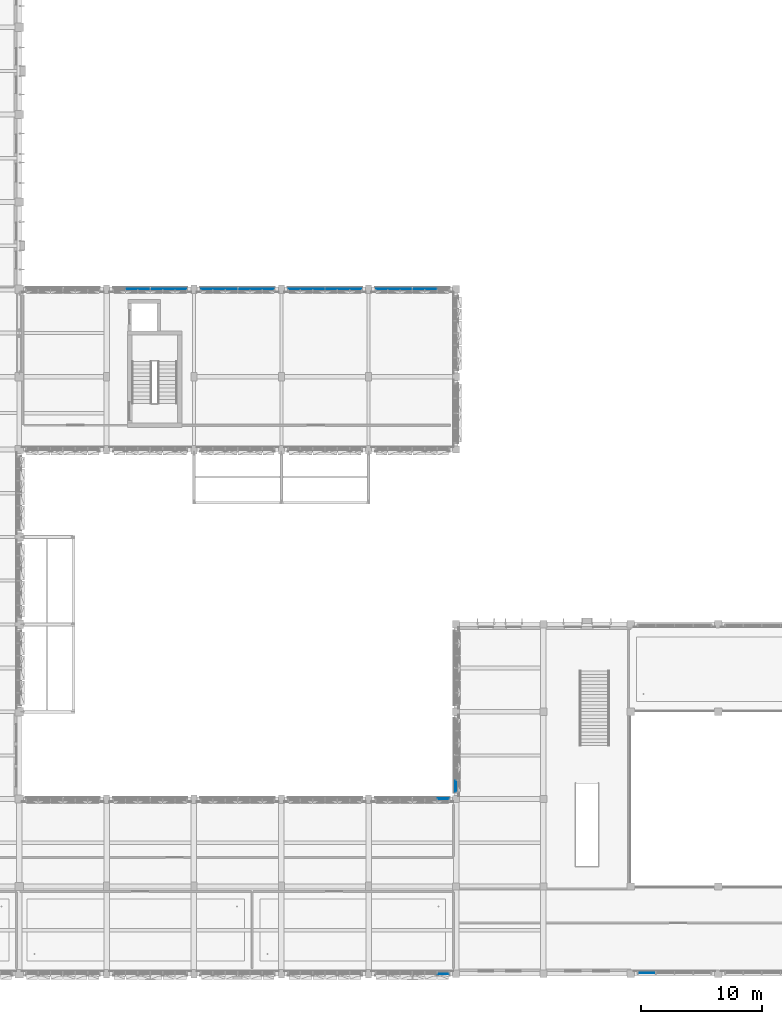
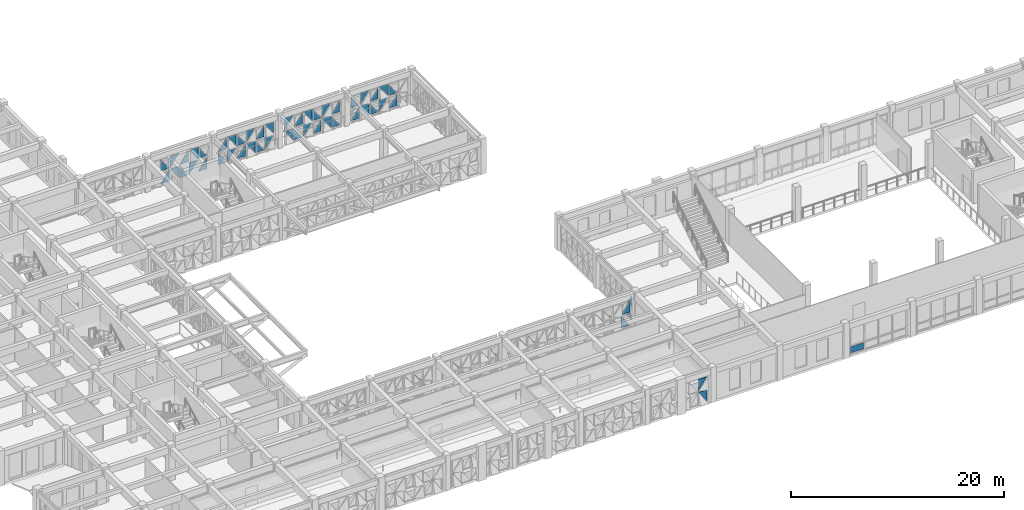
# One storey, part 35 of 88: 51 plates, 8 elements without a shape of their own.
"""IFC4 building model written with IfcOpenShell, lengths in metres."""

import ifcopenshell
import ifcopenshell.guid

model = None  # the IFC model being written
_history = None  # IfcOwnerHistory: only IFC2X3 demands one
_inside = {}  # id of a spatial element -> (the spatial element, [elements in it])
_under = {}  # id of a project, library or spatial element -> (it, [spatial elements below it])
_declared = {}  # id of a project -> (the project, [libraries it declares])
_typed = {}  # id of a type object -> (the type object, [elements of that type])
_made_of = {}  # id of a material, layer set ... -> (it, [elements and type objects made of it])


def new_model(schema):
    """Start an empty IFC model of exactly this schema.

    Asked for "IFC4X3", IfcOpenShell would pick the latest addendum, in which some entities
    have other attributes; the version numbers below select the first issue.
    IFC2X3 requires an IfcOwnerHistory on every rooted entity: one is made here for all.
    """
    global model, _history
    if schema == "IFC4X3":
        model = ifcopenshell.file(schema_version=(4, 3, 0, 0))
    else:
        model = ifcopenshell.file(schema=schema)
    _inside.clear()
    _under.clear()
    _declared.clear()
    _typed.clear()
    _made_of.clear()
    _history = None
    if model.schema == "IFC2X3":
        org = make("IfcOrganization", Name="unknown")
        user = make(
            "IfcPersonAndOrganization",
            ThePerson=make("IfcPerson", FamilyName="unknown"),
            TheOrganization=org,
        )
        app = make(
            "IfcApplication",
            ApplicationDeveloper=org,
            Version="unknown",
            ApplicationFullName="unknown",
            ApplicationIdentifier="unknown",
        )
        _history = make(
            "IfcOwnerHistory",
            OwningUser=user,
            OwningApplication=app,
            ChangeAction="ADDED",
            CreationDate=0,
        )
    return model


def make(cls, **values):
    """One entity of the class cls with the attributes given. An attribute that is None is left unset."""
    return model.create_entity(
        cls, **{name: value for name, value in values.items() if value is not None}
    )


def rooted(cls, **values):
    """An entity with a GlobalId (a new one), such as an element, a storey or a relation."""
    return make(cls, GlobalId=ifcopenshell.guid.new(), OwnerHistory=_history, **values)


def si_unit(unit_type, name, prefix=None):
    """IfcSIUnit, for example si_unit("LENGTHUNIT", "METRE", prefix="MILLI")."""
    return make("IfcSIUnit", UnitType=unit_type, Prefix=prefix, Name=name)


def assignment(units):
    """IfcUnitAssignment: the units of a project."""
    return None if units is None else make("IfcUnitAssignment", Units=units)


def point(xyz):
    """IfcCartesianPoint."""
    return None if xyz is None else make("IfcCartesianPoint", Coordinates=xyz)


def direction(xyz):
    """IfcDirection."""
    return None if xyz is None else make("IfcDirection", DirectionRatios=xyz)


def frame(location, z_axis=None, x_axis=None):
    """IfcAxis2Placement3D, a coordinate frame: its origin and axes. An axis left out is left unset."""
    return make(
        "IfcAxis2Placement3D",
        Location=point(location),
        Axis=direction(z_axis),
        RefDirection=direction(x_axis),
    )


def frame_2d(location, x_axis=None):
    """IfcAxis2Placement2D, a coordinate frame in the plane: its origin and x axis."""
    return make(
        "IfcAxis2Placement2D", Location=point(location), RefDirection=direction(x_axis)
    )


def origin():
    """The frame at (0, 0, 0) with its axes left unset."""
    return frame((0.0, 0.0, 0.0))


def origin_2d():
    """The frame at (0, 0) in the plane with its x axis left unset."""
    return frame_2d((0.0, 0.0))


def place(relative_to, where):
    """IfcLocalPlacement: puts the frame where relative to a parent placement (None: the world)."""
    return make(
        "IfcLocalPlacement", PlacementRelTo=relative_to, RelativePlacement=where
    )


def context(
    kind, dimensions, precision=None, world=None, true_north=None, identifier=None
):
    """IfcGeometricRepresentationContext, for example the 3D "Model" context."""
    return make(
        "IfcGeometricRepresentationContext",
        ContextIdentifier=identifier,
        ContextType=kind,
        CoordinateSpaceDimension=dimensions,
        Precision=precision,
        WorldCoordinateSystem=world,
        TrueNorth=true_north,
    )


def subcontext(parent, identifier, kind, view, scale=None):
    """IfcGeometricRepresentationSubContext, for example "Body" below "Model"."""
    return make(
        "IfcGeometricRepresentationSubContext",
        ContextIdentifier=identifier,
        ContextType=kind,
        ParentContext=parent,
        TargetScale=scale,
        TargetView=view,
    )


def project(units=None, contexts=None):
    """IfcProject with its units and contexts."""
    return rooted(
        "IfcProject",
        Name="project",
        RepresentationContexts=contexts,
        UnitsInContext=assignment(units),
    )


def spatial(cls, under=None, at=None, **own):
    """A site, building, storey or space (cls), placed at a placement, below another one or the project."""
    s = rooted(cls, ObjectPlacement=at, **own)
    if under is not None:
        _under.setdefault(under.id(), (under, []))[1].append(s)
    return s


def polyline(points):
    """IfcPolyline through the points."""
    return make("IfcPolyline", Points=[point(p) for p in points])


def profile(cls, at=None, kind="AREA", **sizes):
    """A parametric profile (cls). Its sizes go by their IFC names, for example OverallWidth=200.0."""
    return make(cls, ProfileType=kind, Position=at, **sizes)


def rectangle(**sizes):
    """IfcRectangleProfileDef."""
    return profile("IfcRectangleProfileDef", **sizes)


def outline(outer, holes=None, kind="AREA"):
    """IfcArbitraryClosedProfileDef: a profile drawn as a closed curve; with holes, ...WithVoids."""
    if holes is None:
        return make("IfcArbitraryClosedProfileDef", ProfileType=kind, OuterCurve=outer)
    return make(
        "IfcArbitraryProfileDefWithVoids",
        ProfileType=kind,
        OuterCurve=outer,
        InnerCurves=holes,
    )


def extrude(swept, where, along, depth):
    """IfcExtrudedAreaSolid: the profile swept, set in the frame where, extruded along a direction by depth."""
    return make(
        "IfcExtrudedAreaSolid",
        SweptArea=swept,
        Position=where,
        ExtrudedDirection=direction(along),
        Depth=depth,
    )


def shape(context_of_items, identifier, shape_type, items):
    """IfcShapeRepresentation: the items that make up one representation, for example the "Body"."""
    return make(
        "IfcShapeRepresentation",
        ContextOfItems=context_of_items,
        RepresentationIdentifier=identifier,
        RepresentationType=shape_type,
        Items=items,
    )


def material(Name=None, Category=None):
    """IfcMaterial."""
    return make("IfcMaterial", Name=Name, Category=Category)


def layer(
    of_material, thickness, ventilated=None, Name=None, Category=None, Priority=None
):
    """IfcMaterialLayer: one layer of a wall or slab, of a material (None: an air gap)."""
    return make(
        "IfcMaterialLayer",
        Material=of_material,
        LayerThickness=thickness,
        IsVentilated=ventilated,
        Name=Name,
        Category=Category,
        Priority=Priority,
    )


def layer_set(layers, Name=None):
    """IfcMaterialLayerSet."""
    return make("IfcMaterialLayerSet", MaterialLayers=layers, LayerSetName=Name)


def made_of(thing, what):
    """Note that an element or type object is made of a material, layer set ...; save() writes the relation."""
    if what is not None:
        _made_of.setdefault(what.id(), (what, []))[1].append(thing)
    return thing


def type_object(cls, material=None, **own):
    """A type object (cls), such as IfcWallType, which elements share."""
    return made_of(rooted(cls, **own), material)


def element(
    cls,
    number,
    at=None,
    inside=None,
    cuts=None,
    type_object=None,
    material=None,
    context=None,
    identifier="Body",
    shape_type=None,
    held_by="IfcProductDefinitionShape",
    body=None,
    shapes=None,
    **own,
):
    """One element of the class cls, such as IfcWall. Its Tag is "e" and its number.

    at: its placement. inside: the storey or other place that contains it. cuts: it is an
    opening in that element (IfcRelVoidsElement). A single representation is given by context,
    identifier, shape_type and body (its items); several are given by shapes. held_by: the class
    of the entity that holds the representations. save() writes the other relations.
    """
    e = rooted(cls, Tag="e%d" % number, ObjectPlacement=at, **own)
    if body is not None:
        shapes = [shape(context, identifier, shape_type, body)]
    if shapes is not None:
        e.Representation = make(held_by, Representations=shapes)
    if inside is not None:
        _inside.setdefault(inside.id(), (inside, []))[1].append(e)
    if cuts is not None:
        rooted(
            "IfcRelVoidsElement", RelatingBuildingElement=cuts, RelatedOpeningElement=e
        )
    if type_object is not None:
        _typed.setdefault(type_object.id(), (type_object, []))[1].append(e)
    return made_of(e, material)


def aggregate(whole, parts):
    """IfcRelAggregates: a whole, such as a stair, and the parts it consists of."""
    return rooted("IfcRelAggregates", RelatingObject=whole, RelatedObjects=parts)


def save(model, path):
    """Write the relations noted so far, then the file.

    IfcRelAggregates (storeys below a building ...), IfcRelContainedInSpatialStructure (elements
    in a storey), IfcRelDefinesByType, IfcRelAssociatesMaterial and IfcRelDeclares: one each for
    every whole, place, type object, material and project.
    """
    for whole, parts in _under.values():
        aggregate(whole, parts)
    for where, things in _inside.values():
        rooted(
            "IfcRelContainedInSpatialStructure",
            RelatedElements=things,
            RelatingStructure=where,
        )
    for kind, things in _typed.values():
        rooted("IfcRelDefinesByType", RelatedObjects=things, RelatingType=kind)
    for what, things in _made_of.values():
        rooted("IfcRelAssociatesMaterial", RelatedObjects=things, RelatingMaterial=what)
    for by, libraries in _declared.values():
        rooted("IfcRelDeclares", RelatingContext=by, RelatedDefinitions=libraries)
    model.write(path)


model = new_model("IFC4")

# Units and contexts
model_context = context("Model", 3, precision=1e-05, world=origin(), true_north=direction((0.0, 1.0)))
body_context = subcontext(model_context, "Body", "Model", "MODEL_VIEW")
ifc_project = project(units=[si_unit("LENGTHUNIT", "METRE"), si_unit("AREAUNIT", "SQUARE_METRE"), si_unit("VOLUMEUNIT", "CUBIC_METRE"), si_unit("PLANEANGLEUNIT", "RADIAN"), si_unit("MASSUNIT", "GRAM", prefix="KILO")], contexts=[model_context])

# Site, building, storey
site_placement = place(None, origin())
site = spatial("IfcSite", under=ifc_project, at=site_placement, CompositionType="ELEMENT")
building_placement = place(site_placement, origin())
building = spatial("IfcBuilding", under=site, at=building_placement, Name="Alvorim Cloister Faculty of Sciences", CompositionType="ELEMENT")
storey_placement = place(building_placement, frame((0.0, 0.0, 4.5)))
storey = spatial("IfcBuildingStorey", under=building, at=storey_placement, Name="L01", CompositionType="ELEMENT", Elevation=4.5)

# Curtain wall, plates
ifc_material_1 = material(Name="Aluminium and Low-E Glass Curtain Wall", Category="aluminium")
curtain_wall_type_1 = type_object("IfcCurtainWallType", Name="CW-TRI-6120x3170", PredefinedType="USERDEFINED", material=ifc_material_1)
curtain_wall_1_placement = place(storey_placement, origin())
curtain_wall_1 = element("IfcCurtainWall", 1, at=curtain_wall_1_placement, inside=storey, type_object=curtain_wall_type_1, Name="L01 Diagonal Cassette Curtain Wall CW-0013", ObjectType="UNITISED CURTAIN WALL", PredefinedType="USERDEFINED")
ifc_material_2 = material(Name="Double Low-E Laminated Glass", Category="glass")
ifc_layer = layer(ifc_material_2, 0.0400390625)
ifc_layer_set = layer_set([ifc_layer], Name="Double Low-E Laminated Glass")
plate_type = type_object("IfcPlateType", Name="PN-GLZ-40", PredefinedType="CURTAIN_PANEL", material=ifc_layer_set)
plate_1_placement = place(storey_placement, frame((37.597412109375, 56.425048828125, 0.159912109375), z_axis=(0.0, 0.0, 1.0), x_axis=(1.0, 0.0, 0.0)))
plate_1 = element("IfcPlate", 2, at=plate_1_placement, type_object=plate_type, Name="Diagonal Glazed Triangle TRI-BR", PredefinedType="CURTAIN_PANEL", context=body_context, shape_type="SweptSolid", body=[
    extrude(outline(polyline([(0.001953125, 0.0), (0.945068359375, 0.0), (0.945068359375, 1.343017578125), (0.001953125, 0.0)])), frame((0.0, 0.02490234375, 0.0), z_axis=(0.0, -1.0, 0.0), x_axis=(1.0, 0.0, 0.0)), (0.0, 0.0, 1.0), 0.050048828125),
])
plate_2_placement = place(storey_placement, frame((37.597412109375, 56.425048828125, 1.6650390625), z_axis=(0.0, 0.0, 1.0), x_axis=(1.0, 0.0, 0.0)))
plate_2 = element("IfcPlate", 3, at=plate_2_placement, type_object=plate_type, Name="Diagonal Glazed Triangle TRI-BL", PredefinedType="CURTAIN_PANEL", context=body_context, shape_type="SweptSolid", body=[
    extrude(outline(polyline([(0.0, 0.0), (0.943115234375, 0.0), (0.0, 1.343017578125), (0.0, 0.0)])), frame((0.0, 0.02490234375, 0.0), z_axis=(0.0, -1.0, 0.0), x_axis=(1.0, 0.0, 0.0)), (0.0, 0.0, 1.0), 0.050048828125),
])
plate_3_placement = place(storey_placement, frame((38.617431640625, 56.425048828125, 0.159912109375), z_axis=(0.0, 0.0, 1.0), x_axis=(1.0, 0.0, 0.0)))
plate_3 = element("IfcPlate", 4, at=plate_3_placement, type_object=plate_type, Name="Diagonal Glazed Triangle TRI-TR", PredefinedType="CURTAIN_PANEL", context=body_context, shape_type="SweptSolid", body=[
    extrude(outline(polyline([(0.945068359375, 0.001953125), (0.945068359375, 1.344970703125), (0.001953125, 1.344970703125), (0.945068359375, 0.001953125)])), frame((0.0, 0.02490234375, 0.0), z_axis=(0.0, -1.0, 0.0), x_axis=(1.0, 0.0, 0.0)), (0.0, 0.0, 1.0), 0.050048828125),
])
plate_4_placement = place(storey_placement, frame((38.617431640625, 56.425048828125, 1.6650390625), z_axis=(0.0, 0.0, 1.0), x_axis=(1.0, 0.0, 0.0)))
plate_4 = element("IfcPlate", 5, at=plate_4_placement, type_object=plate_type, Name="Diagonal Glazed Triangle TRI-TL", PredefinedType="CURTAIN_PANEL", context=body_context, shape_type="SweptSolid", body=[
    extrude(outline(polyline([(0.943115234375, 1.344970703125), (0.0, 1.344970703125), (0.0, 0.001953125), (0.943115234375, 1.344970703125)])), frame((0.0, 0.02490234375, 0.0), z_axis=(0.0, -1.0, 0.0), x_axis=(1.0, 0.0, 0.0)), (0.0, 0.0, 1.0), 0.050048828125),
])
plate_5_placement = place(storey_placement, frame((39.637451171875, 56.425048828125, 0.159912109375), z_axis=(0.0, 0.0, 1.0), x_axis=(1.0, 0.0, 0.0)))
plate_5 = element("IfcPlate", 6, at=plate_5_placement, type_object=plate_type, Name="Diagonal Glazed Triangle TRI-BL", PredefinedType="CURTAIN_PANEL", context=body_context, shape_type="SweptSolid", body=[
    extrude(outline(polyline([(0.0, 0.0), (0.943115234375, 0.0), (0.0, 1.343017578125), (0.0, 0.0)])), frame((0.0, 0.02490234375, 0.0), z_axis=(0.0, -1.0, 0.0), x_axis=(1.0, 0.0, 0.0)), (0.0, 0.0, 1.0), 0.050048828125),
])
plate_6_placement = place(storey_placement, frame((39.637451171875, 56.425048828125, 1.6650390625), z_axis=(0.0, 0.0, 1.0), x_axis=(1.0, 0.0, 0.0)))
plate_6 = element("IfcPlate", 7, at=plate_6_placement, type_object=plate_type, Name="Diagonal Glazed Triangle TRI-BR", PredefinedType="CURTAIN_PANEL", context=body_context, shape_type="SweptSolid", body=[
    extrude(outline(polyline([(0.001953125, 0.0), (0.945068359375, 0.0), (0.945068359375, 1.343017578125), (0.001953125, 0.0)])), frame((0.0, 0.02490234375, 0.0), z_axis=(0.0, -1.0, 0.0), x_axis=(1.0, 0.0, 0.0)), (0.0, 0.0, 1.0), 0.050048828125),
])
plate_7_placement = place(storey_placement, frame((40.657470703125, 56.425048828125, 0.159912109375), z_axis=(0.0, 0.0, 1.0), x_axis=(1.0, 0.0, 0.0)))
plate_7 = element("IfcPlate", 8, at=plate_7_placement, type_object=plate_type, Name="Diagonal Glazed Triangle TRI-TL", PredefinedType="CURTAIN_PANEL", context=body_context, shape_type="SweptSolid", body=[
    extrude(outline(polyline([(0.943115234375, 1.344970703125), (0.0, 1.344970703125), (0.0, 0.001953125), (0.943115234375, 1.344970703125)])), frame((0.0, 0.02490234375, 0.0), z_axis=(0.0, -1.0, 0.0), x_axis=(1.0, 0.0, 0.0)), (0.0, 0.0, 1.0), 0.050048828125),
])
plate_8_placement = place(storey_placement, frame((40.657470703125, 56.425048828125, 1.6650390625), z_axis=(0.0, 0.0, 1.0), x_axis=(1.0, 0.0, 0.0)))
plate_8 = element("IfcPlate", 9, at=plate_8_placement, type_object=plate_type, Name="Diagonal Glazed Triangle TRI-TR", PredefinedType="CURTAIN_PANEL", context=body_context, shape_type="SweptSolid", body=[
    extrude(outline(polyline([(0.945068359375, 0.001953125), (0.945068359375, 1.344970703125), (0.001953125, 1.344970703125), (0.945068359375, 0.001953125)])), frame((0.0, 0.02490234375, 0.0), z_axis=(0.0, -1.0, 0.0), x_axis=(1.0, 0.0, 0.0)), (0.0, 0.0, 1.0), 0.050048828125),
])
plate_9_placement = place(storey_placement, frame((41.677490234375, 56.425048828125, 0.159912109375), z_axis=(0.0, 0.0, 1.0), x_axis=(1.0, 0.0, 0.0)))
plate_9 = element("IfcPlate", 10, at=plate_9_placement, type_object=plate_type, Name="Diagonal Glazed Triangle TRI-BR", PredefinedType="CURTAIN_PANEL", context=body_context, shape_type="SweptSolid", body=[
    extrude(outline(polyline([(0.001953125, 0.0), (0.907470703125, 0.0), (0.907470703125, 1.343017578125), (0.001953125, 0.0)])), frame((0.0, 0.02490234375, 0.0), z_axis=(0.0, -1.0, 0.0), x_axis=(1.0, 0.0, 0.0)), (0.0, 0.0, 1.0), 0.050048828125),
])
plate_10_placement = place(storey_placement, frame((41.677490234375, 56.425048828125, 1.6650390625), z_axis=(0.0, 0.0, 1.0), x_axis=(1.0, 0.0, 0.0)))
plate_10 = element("IfcPlate", 11, at=plate_10_placement, type_object=plate_type, Name="Diagonal Glazed Triangle TRI-BL", PredefinedType="CURTAIN_PANEL", context=body_context, shape_type="SweptSolid", body=[
    extrude(outline(polyline([(0.0, 0.0), (0.905517578125, 0.0), (0.0, 1.343017578125), (0.0, 0.0)])), frame((0.0, 0.02490234375, 0.0), z_axis=(0.0, -1.0, 0.0), x_axis=(1.0, 0.0, 0.0)), (0.0, 0.0, 1.0), 0.050048828125),
])
aggregate(curtain_wall_1, [plate_1, plate_2, plate_3, plate_4, plate_5, plate_6, plate_7, plate_8, plate_9, plate_10])

curtain_wall_2_placement = place(storey_placement, origin())
curtain_wall_2 = element("IfcCurtainWall", 12, at=curtain_wall_2_placement, inside=storey, type_object=curtain_wall_type_1, Name="L01 Diagonal Cassette Curtain Wall CW-0014", ObjectType="UNITISED CURTAIN WALL", PredefinedType="USERDEFINED")
plate_11_placement = place(storey_placement, frame((43.81494140625, 56.425048828125, 0.159912109375), z_axis=(0.0, 0.0, 1.0), x_axis=(1.0, 0.0, 0.0)))
plate_11 = element("IfcPlate", 13, at=plate_11_placement, type_object=plate_type, Name="Diagonal Glazed Triangle TRI-BL", PredefinedType="CURTAIN_PANEL", context=body_context, shape_type="SweptSolid", body=[
    extrude(outline(polyline([(0.0, 0.0), (0.905517578125, 0.0), (0.0, 1.343017578125), (0.0, 0.0)])), frame((0.0, 0.02490234375, 0.0), z_axis=(0.0, -1.0, 0.0), x_axis=(1.0, 0.0, 0.0)), (0.0, 0.0, 1.0), 0.050048828125),
])
plate_12_placement = place(storey_placement, frame((43.81494140625, 56.425048828125, 1.6650390625), z_axis=(0.0, 0.0, 1.0), x_axis=(1.0, 0.0, 0.0)))
plate_12 = element("IfcPlate", 14, at=plate_12_placement, type_object=plate_type, Name="Diagonal Glazed Triangle TRI-BR", PredefinedType="CURTAIN_PANEL", context=body_context, shape_type="SweptSolid", body=[
    extrude(outline(polyline([(0.001953125, 0.0), (0.907470703125, 0.0), (0.907470703125, 1.343017578125), (0.001953125, 0.0)])), frame((0.0, 0.02490234375, 0.0), z_axis=(0.0, -1.0, 0.0), x_axis=(1.0, 0.0, 0.0)), (0.0, 0.0, 1.0), 0.050048828125),
])
plate_13_placement = place(storey_placement, frame((44.797607421875, 56.425048828125, 0.159912109375), z_axis=(0.0, 0.0, 1.0), x_axis=(1.0, 0.0, 0.0)))
plate_13 = element("IfcPlate", 15, at=plate_13_placement, type_object=plate_type, Name="Diagonal Glazed Triangle TRI-TL", PredefinedType="CURTAIN_PANEL", context=body_context, shape_type="SweptSolid", body=[
    extrude(outline(polyline([(0.943115234375, 1.344970703125), (0.0, 1.344970703125), (0.0, 0.001953125), (0.943115234375, 1.344970703125)])), frame((0.0, 0.02490234375, 0.0), z_axis=(0.0, -1.0, 0.0), x_axis=(1.0, 0.0, 0.0)), (0.0, 0.0, 1.0), 0.050048828125),
])
plate_14_placement = place(storey_placement, frame((44.797607421875, 56.425048828125, 1.6650390625), z_axis=(0.0, 0.0, 1.0), x_axis=(1.0, 0.0, 0.0)))
plate_14 = element("IfcPlate", 16, at=plate_14_placement, type_object=plate_type, Name="Diagonal Glazed Triangle TRI-TR", PredefinedType="CURTAIN_PANEL", context=body_context, shape_type="SweptSolid", body=[
    extrude(outline(polyline([(0.945068359375, 0.001953125), (0.945068359375, 1.344970703125), (0.001953125, 1.344970703125), (0.945068359375, 0.001953125)])), frame((0.0, 0.02490234375, 0.0), z_axis=(0.0, -1.0, 0.0), x_axis=(1.0, 0.0, 0.0)), (0.0, 0.0, 1.0), 0.050048828125),
])
plate_15_placement = place(storey_placement, frame((45.8173828125, 56.425048828125, 0.159912109375), z_axis=(0.0, 0.0, 1.0), x_axis=(1.0, 0.0, 0.0)))
plate_15 = element("IfcPlate", 17, at=plate_15_placement, type_object=plate_type, Name="Diagonal Glazed Triangle TRI-BR", PredefinedType="CURTAIN_PANEL", context=body_context, shape_type="SweptSolid", body=[
    extrude(outline(polyline([(0.001953125, 0.0), (0.945068359375, 0.0), (0.945068359375, 1.343017578125), (0.001953125, 0.0)])), frame((0.0, 0.02490234375, 0.0), z_axis=(0.0, -1.0, 0.0), x_axis=(1.0, 0.0, 0.0)), (0.0, 0.0, 1.0), 0.050048828125),
])
plate_16_placement = place(storey_placement, frame((45.8173828125, 56.425048828125, 1.6650390625), z_axis=(0.0, 0.0, 1.0), x_axis=(1.0, 0.0, 0.0)))
plate_16 = element("IfcPlate", 18, at=plate_16_placement, type_object=plate_type, Name="Diagonal Glazed Triangle TRI-BL", PredefinedType="CURTAIN_PANEL", context=body_context, shape_type="SweptSolid", body=[
    extrude(outline(polyline([(0.0, 0.0), (0.943115234375, 0.0), (0.0, 1.343017578125), (0.0, 0.0)])), frame((0.0, 0.02490234375, 0.0), z_axis=(0.0, -1.0, 0.0), x_axis=(1.0, 0.0, 0.0)), (0.0, 0.0, 1.0), 0.050048828125),
])
plate_17_placement = place(storey_placement, frame((46.83740234375, 56.425048828125, 0.159912109375), z_axis=(0.0, 0.0, 1.0), x_axis=(1.0, 0.0, 0.0)))
plate_17 = element("IfcPlate", 19, at=plate_17_placement, type_object=plate_type, Name="Diagonal Glazed Triangle TRI-TR", PredefinedType="CURTAIN_PANEL", context=body_context, shape_type="SweptSolid", body=[
    extrude(outline(polyline([(0.945068359375, 0.001953125), (0.945068359375, 1.344970703125), (0.001953125, 1.344970703125), (0.945068359375, 0.001953125)])), frame((0.0, 0.02490234375, 0.0), z_axis=(0.0, -1.0, 0.0), x_axis=(1.0, 0.0, 0.0)), (0.0, 0.0, 1.0), 0.050048828125),
])
plate_18_placement = place(storey_placement, frame((46.83740234375, 56.425048828125, 1.6650390625), z_axis=(0.0, 0.0, 1.0), x_axis=(1.0, 0.0, 0.0)))
plate_18 = element("IfcPlate", 20, at=plate_18_placement, type_object=plate_type, Name="Diagonal Glazed Triangle TRI-TL", PredefinedType="CURTAIN_PANEL", context=body_context, shape_type="SweptSolid", body=[
    extrude(outline(polyline([(0.943115234375, 1.344970703125), (0.0, 1.344970703125), (0.0, 0.001953125), (0.943115234375, 1.344970703125)])), frame((0.0, 0.02490234375, 0.0), z_axis=(0.0, -1.0, 0.0), x_axis=(1.0, 0.0, 0.0)), (0.0, 0.0, 1.0), 0.050048828125),
])
plate_19_placement = place(storey_placement, frame((47.857421875, 56.425048828125, 0.159912109375), z_axis=(0.0, 0.0, 1.0), x_axis=(1.0, 0.0, 0.0)))
plate_19 = element("IfcPlate", 21, at=plate_19_placement, type_object=plate_type, Name="Diagonal Glazed Triangle TRI-BL", PredefinedType="CURTAIN_PANEL", context=body_context, shape_type="SweptSolid", body=[
    extrude(outline(polyline([(0.0, 0.0), (0.943115234375, 0.0), (0.0, 1.343017578125), (0.0, 0.0)])), frame((0.0, 0.02490234375, 0.0), z_axis=(0.0, -1.0, 0.0), x_axis=(1.0, 0.0, 0.0)), (0.0, 0.0, 1.0), 0.050048828125),
])
plate_20_placement = place(storey_placement, frame((47.857421875, 56.425048828125, 1.6650390625), z_axis=(0.0, 0.0, 1.0), x_axis=(1.0, 0.0, 0.0)))
plate_20 = element("IfcPlate", 22, at=plate_20_placement, type_object=plate_type, Name="Diagonal Glazed Triangle TRI-BR", PredefinedType="CURTAIN_PANEL", context=body_context, shape_type="SweptSolid", body=[
    extrude(outline(polyline([(0.001953125, 0.0), (0.945068359375, 0.0), (0.945068359375, 1.343017578125), (0.001953125, 0.0)])), frame((0.0, 0.02490234375, 0.0), z_axis=(0.0, -1.0, 0.0), x_axis=(1.0, 0.0, 0.0)), (0.0, 0.0, 1.0), 0.050048828125),
])
plate_21_placement = place(storey_placement, frame((48.87744140625, 56.425048828125, 0.159912109375), z_axis=(0.0, 0.0, 1.0), x_axis=(1.0, 0.0, 0.0)))
plate_21 = element("IfcPlate", 23, at=plate_21_placement, type_object=plate_type, Name="Diagonal Glazed Triangle TRI-TL", PredefinedType="CURTAIN_PANEL", context=body_context, shape_type="SweptSolid", body=[
    extrude(outline(polyline([(0.905517578125, 1.344970703125), (0.0, 1.344970703125), (0.0, 0.001953125), (0.905517578125, 1.344970703125)])), frame((0.0, 0.02490234375, 0.0), z_axis=(0.0, -1.0, 0.0), x_axis=(1.0, 0.0, 0.0)), (0.0, 0.0, 1.0), 0.050048828125),
])
plate_22_placement = place(storey_placement, frame((48.87744140625, 56.425048828125, 1.6650390625), z_axis=(0.0, 0.0, 1.0), x_axis=(1.0, 0.0, 0.0)))
plate_22 = element("IfcPlate", 24, at=plate_22_placement, type_object=plate_type, Name="Diagonal Glazed Triangle TRI-TR", PredefinedType="CURTAIN_PANEL", context=body_context, shape_type="SweptSolid", body=[
    extrude(outline(polyline([(0.907470703125, 0.001953125), (0.907470703125, 1.344970703125), (0.001953125, 1.344970703125), (0.907470703125, 0.001953125)])), frame((0.0, 0.02490234375, 0.0), z_axis=(0.0, -1.0, 0.0), x_axis=(1.0, 0.0, 0.0)), (0.0, 0.0, 1.0), 0.050048828125),
])
aggregate(curtain_wall_2, [plate_11, plate_12, plate_13, plate_14, plate_15, plate_16, plate_17, plate_18, plate_19, plate_20, plate_21, plate_22])

curtain_wall_3_placement = place(storey_placement, origin())
curtain_wall_3 = element("IfcCurtainWall", 25, at=curtain_wall_3_placement, inside=storey, type_object=curtain_wall_type_1, Name="L01 Diagonal Cassette Curtain Wall CW-0015", ObjectType="UNITISED CURTAIN WALL", PredefinedType="USERDEFINED")
plate_23_placement = place(storey_placement, frame((51.014892578125, 56.425048828125, 0.159912109375), z_axis=(0.0, 0.0, 1.0), x_axis=(1.0, 0.0, 0.0)))
plate_23 = element("IfcPlate", 26, at=plate_23_placement, type_object=plate_type, Name="Diagonal Glazed Triangle TRI-TR", PredefinedType="CURTAIN_PANEL", context=body_context, shape_type="SweptSolid", body=[
    extrude(outline(polyline([(0.907470703125, 0.001953125), (0.907470703125, 1.344970703125), (0.001953125, 1.344970703125), (0.907470703125, 0.001953125)])), frame((0.0, 0.02490234375, 0.0), z_axis=(0.0, -1.0, 0.0), x_axis=(1.0, 0.0, 0.0)), (0.0, 0.0, 1.0), 0.050048828125),
])
plate_24_placement = place(storey_placement, frame((51.014892578125, 56.425048828125, 1.6650390625), z_axis=(0.0, 0.0, 1.0), x_axis=(1.0, 0.0, 0.0)))
plate_24 = element("IfcPlate", 27, at=plate_24_placement, type_object=plate_type, Name="Diagonal Glazed Triangle TRI-TL", PredefinedType="CURTAIN_PANEL", context=body_context, shape_type="SweptSolid", body=[
    extrude(outline(polyline([(0.905517578125, 1.344970703125), (0.0, 1.344970703125), (0.0, 0.001953125), (0.905517578125, 1.344970703125)])), frame((0.0, 0.02490234375, 0.0), z_axis=(0.0, -1.0, 0.0), x_axis=(1.0, 0.0, 0.0)), (0.0, 0.0, 1.0), 0.050048828125),
])
plate_25_placement = place(storey_placement, frame((51.99755859375, 56.425048828125, 0.159912109375), z_axis=(0.0, 0.0, 1.0), x_axis=(1.0, 0.0, 0.0)))
plate_25 = element("IfcPlate", 28, at=plate_25_placement, type_object=plate_type, Name="Diagonal Glazed Triangle TRI-BL", PredefinedType="CURTAIN_PANEL", context=body_context, shape_type="SweptSolid", body=[
    extrude(outline(polyline([(0.0, 0.0), (0.943115234375, 0.0), (0.0, 1.343017578125), (0.0, 0.0)])), frame((0.0, 0.02490234375, 0.0), z_axis=(0.0, -1.0, 0.0), x_axis=(1.0, 0.0, 0.0)), (0.0, 0.0, 1.0), 0.050048828125),
])
plate_26_placement = place(storey_placement, frame((51.99755859375, 56.425048828125, 1.6650390625), z_axis=(0.0, 0.0, 1.0), x_axis=(1.0, 0.0, 0.0)))
plate_26 = element("IfcPlate", 29, at=plate_26_placement, type_object=plate_type, Name="Diagonal Glazed Triangle TRI-BR", PredefinedType="CURTAIN_PANEL", context=body_context, shape_type="SweptSolid", body=[
    extrude(outline(polyline([(0.001953125, 0.0), (0.945068359375, 0.0), (0.945068359375, 1.343017578125), (0.001953125, 0.0)])), frame((0.0, 0.02490234375, 0.0), z_axis=(0.0, -1.0, 0.0), x_axis=(1.0, 0.0, 0.0)), (0.0, 0.0, 1.0), 0.050048828125),
])
plate_27_placement = place(storey_placement, frame((53.017578125, 56.425048828125, 0.159912109375), z_axis=(0.0, 0.0, 1.0), x_axis=(1.0, 0.0, 0.0)))
plate_27 = element("IfcPlate", 30, at=plate_27_placement, type_object=plate_type, Name="Diagonal Glazed Triangle TRI-TL", PredefinedType="CURTAIN_PANEL", context=body_context, shape_type="SweptSolid", body=[
    extrude(outline(polyline([(0.943115234375, 1.344970703125), (0.0, 1.344970703125), (0.0, 0.001953125), (0.943115234375, 1.344970703125)])), frame((0.0, 0.02490234375, 0.0), z_axis=(0.0, -1.0, 0.0), x_axis=(1.0, 0.0, 0.0)), (0.0, 0.0, 1.0), 0.050048828125),
])
plate_28_placement = place(storey_placement, frame((53.017578125, 56.425048828125, 1.6650390625), z_axis=(0.0, 0.0, 1.0), x_axis=(1.0, 0.0, 0.0)))
plate_28 = element("IfcPlate", 31, at=plate_28_placement, type_object=plate_type, Name="Diagonal Glazed Triangle TRI-TR", PredefinedType="CURTAIN_PANEL", context=body_context, shape_type="SweptSolid", body=[
    extrude(outline(polyline([(0.945068359375, 0.001953125), (0.945068359375, 1.344970703125), (0.001953125, 1.344970703125), (0.945068359375, 0.001953125)])), frame((0.0, 0.02490234375, 0.0), z_axis=(0.0, -1.0, 0.0), x_axis=(1.0, 0.0, 0.0)), (0.0, 0.0, 1.0), 0.050048828125),
])
plate_29_placement = place(storey_placement, frame((54.03759765625, 56.425048828125, 0.159912109375), z_axis=(0.0, 0.0, 1.0), x_axis=(1.0, 0.0, 0.0)))
plate_29 = element("IfcPlate", 32, at=plate_29_placement, type_object=plate_type, Name="Diagonal Glazed Triangle TRI-BR", PredefinedType="CURTAIN_PANEL", context=body_context, shape_type="SweptSolid", body=[
    extrude(outline(polyline([(0.001953125, 0.0), (0.945068359375, 0.0), (0.945068359375, 1.343017578125), (0.001953125, 0.0)])), frame((0.0, 0.02490234375, 0.0), z_axis=(0.0, -1.0, 0.0), x_axis=(1.0, 0.0, 0.0)), (0.0, 0.0, 1.0), 0.050048828125),
])
plate_30_placement = place(storey_placement, frame((54.03759765625, 56.425048828125, 1.6650390625), z_axis=(0.0, 0.0, 1.0), x_axis=(1.0, 0.0, 0.0)))
plate_30 = element("IfcPlate", 33, at=plate_30_placement, type_object=plate_type, Name="Diagonal Glazed Triangle TRI-BL", PredefinedType="CURTAIN_PANEL", context=body_context, shape_type="SweptSolid", body=[
    extrude(outline(polyline([(0.0, 0.0), (0.943115234375, 0.0), (0.0, 1.343017578125), (0.0, 0.0)])), frame((0.0, 0.02490234375, 0.0), z_axis=(0.0, -1.0, 0.0), x_axis=(1.0, 0.0, 0.0)), (0.0, 0.0, 1.0), 0.050048828125),
])
plate_31_placement = place(storey_placement, frame((55.0576171875, 56.425048828125, 0.159912109375), z_axis=(0.0, 0.0, 1.0), x_axis=(1.0, 0.0, 0.0)))
plate_31 = element("IfcPlate", 34, at=plate_31_placement, type_object=plate_type, Name="Diagonal Glazed Triangle TRI-TR", PredefinedType="CURTAIN_PANEL", context=body_context, shape_type="SweptSolid", body=[
    extrude(outline(polyline([(0.945068359375, 0.001953125), (0.945068359375, 1.344970703125), (0.001953125, 1.344970703125), (0.945068359375, 0.001953125)])), frame((0.0, 0.02490234375, 0.0), z_axis=(0.0, -1.0, 0.0), x_axis=(1.0, 0.0, 0.0)), (0.0, 0.0, 1.0), 0.050048828125),
])
plate_32_placement = place(storey_placement, frame((55.0576171875, 56.425048828125, 1.6650390625), z_axis=(0.0, 0.0, 1.0), x_axis=(1.0, 0.0, 0.0)))
plate_32 = element("IfcPlate", 35, at=plate_32_placement, type_object=plate_type, Name="Diagonal Glazed Triangle TRI-TL", PredefinedType="CURTAIN_PANEL", context=body_context, shape_type="SweptSolid", body=[
    extrude(outline(polyline([(0.943115234375, 1.344970703125), (0.0, 1.344970703125), (0.0, 0.001953125), (0.943115234375, 1.344970703125)])), frame((0.0, 0.02490234375, 0.0), z_axis=(0.0, -1.0, 0.0), x_axis=(1.0, 0.0, 0.0)), (0.0, 0.0, 1.0), 0.050048828125),
])
plate_33_placement = place(storey_placement, frame((56.077392578125, 56.425048828125, 0.159912109375), z_axis=(0.0, 0.0, 1.0), x_axis=(1.0, 0.0, 0.0)))
plate_33 = element("IfcPlate", 36, at=plate_33_placement, type_object=plate_type, Name="Diagonal Glazed Triangle TRI-BL", PredefinedType="CURTAIN_PANEL", context=body_context, shape_type="SweptSolid", body=[
    extrude(outline(polyline([(0.0, 0.0), (0.905517578125, 0.0), (0.0, 1.343017578125), (0.0, 0.0)])), frame((0.0, 0.02490234375, 0.0), z_axis=(0.0, -1.0, 0.0), x_axis=(1.0, 0.0, 0.0)), (0.0, 0.0, 1.0), 0.050048828125),
])
plate_34_placement = place(storey_placement, frame((56.077392578125, 56.425048828125, 1.6650390625), z_axis=(0.0, 0.0, 1.0), x_axis=(1.0, 0.0, 0.0)))
plate_34 = element("IfcPlate", 37, at=plate_34_placement, type_object=plate_type, Name="Diagonal Glazed Triangle TRI-BR", PredefinedType="CURTAIN_PANEL", context=body_context, shape_type="SweptSolid", body=[
    extrude(outline(polyline([(0.001953125, 0.0), (0.907470703125, 0.0), (0.907470703125, 1.343017578125), (0.001953125, 0.0)])), frame((0.0, 0.02490234375, 0.0), z_axis=(0.0, -1.0, 0.0), x_axis=(1.0, 0.0, 0.0)), (0.0, 0.0, 1.0), 0.050048828125),
])
aggregate(curtain_wall_3, [plate_23, plate_24, plate_25, plate_26, plate_27, plate_28, plate_29, plate_30, plate_31, plate_32, plate_33, plate_34])

curtain_wall_4_placement = place(storey_placement, origin())
curtain_wall_4 = element("IfcCurtainWall", 38, at=curtain_wall_4_placement, inside=storey, type_object=curtain_wall_type_1, Name="L01 Diagonal Cassette Curtain Wall CW-0016", ObjectType="UNITISED CURTAIN WALL", PredefinedType="USERDEFINED")
plate_35_placement = place(storey_placement, frame((58.215087890625, 56.425048828125, 0.159912109375), z_axis=(0.0, 0.0, 1.0), x_axis=(1.0, 0.0, 0.0)))
plate_35 = element("IfcPlate", 39, at=plate_35_placement, type_object=plate_type, Name="Diagonal Glazed Triangle TRI-BR", PredefinedType="CURTAIN_PANEL", context=body_context, shape_type="SweptSolid", body=[
    extrude(outline(polyline([(0.001953125, 0.0), (0.907470703125, 0.0), (0.907470703125, 1.343017578125), (0.001953125, 0.0)])), frame((0.0, 0.02490234375, 0.0), z_axis=(0.0, -1.0, 0.0), x_axis=(1.0, 0.0, 0.0)), (0.0, 0.0, 1.0), 0.050048828125),
])
plate_36_placement = place(storey_placement, frame((58.215087890625, 56.425048828125, 1.6650390625), z_axis=(0.0, 0.0, 1.0), x_axis=(1.0, 0.0, 0.0)))
plate_36 = element("IfcPlate", 40, at=plate_36_placement, type_object=plate_type, Name="Diagonal Glazed Triangle TRI-BL", PredefinedType="CURTAIN_PANEL", context=body_context, shape_type="SweptSolid", body=[
    extrude(outline(polyline([(0.0, 0.0), (0.905517578125, 0.0), (0.0, 1.343017578125), (0.0, 0.0)])), frame((0.0, 0.02490234375, 0.0), z_axis=(0.0, -1.0, 0.0), x_axis=(1.0, 0.0, 0.0)), (0.0, 0.0, 1.0), 0.050048828125),
])
plate_37_placement = place(storey_placement, frame((59.197509765625, 56.425048828125, 0.159912109375), z_axis=(0.0, 0.0, 1.0), x_axis=(1.0, 0.0, 0.0)))
plate_37 = element("IfcPlate", 41, at=plate_37_placement, type_object=plate_type, Name="Diagonal Glazed Triangle TRI-TR", PredefinedType="CURTAIN_PANEL", context=body_context, shape_type="SweptSolid", body=[
    extrude(outline(polyline([(0.945068359375, 0.001953125), (0.945068359375, 1.344970703125), (0.001953125, 1.344970703125), (0.945068359375, 0.001953125)])), frame((0.0, 0.02490234375, 0.0), z_axis=(0.0, -1.0, 0.0), x_axis=(1.0, 0.0, 0.0)), (0.0, 0.0, 1.0), 0.050048828125),
])
plate_38_placement = place(storey_placement, frame((59.197509765625, 56.425048828125, 1.6650390625), z_axis=(0.0, 0.0, 1.0), x_axis=(1.0, 0.0, 0.0)))
plate_38 = element("IfcPlate", 42, at=plate_38_placement, type_object=plate_type, Name="Diagonal Glazed Triangle TRI-TL", PredefinedType="CURTAIN_PANEL", context=body_context, shape_type="SweptSolid", body=[
    extrude(outline(polyline([(0.943115234375, 1.344970703125), (0.0, 1.344970703125), (0.0, 0.001953125), (0.943115234375, 1.344970703125)])), frame((0.0, 0.02490234375, 0.0), z_axis=(0.0, -1.0, 0.0), x_axis=(1.0, 0.0, 0.0)), (0.0, 0.0, 1.0), 0.050048828125),
])
plate_39_placement = place(storey_placement, frame((60.217529296875, 56.425048828125, 0.159912109375), z_axis=(0.0, 0.0, 1.0), x_axis=(1.0, 0.0, 0.0)))
plate_39 = element("IfcPlate", 43, at=plate_39_placement, type_object=plate_type, Name="Diagonal Glazed Triangle TRI-BL", PredefinedType="CURTAIN_PANEL", context=body_context, shape_type="SweptSolid", body=[
    extrude(outline(polyline([(0.0, 0.0), (0.943115234375, 0.0), (0.0, 1.343017578125), (0.0, 0.0)])), frame((0.0, 0.02490234375, 0.0), z_axis=(0.0, -1.0, 0.0), x_axis=(1.0, 0.0, 0.0)), (0.0, 0.0, 1.0), 0.050048828125),
])
plate_40_placement = place(storey_placement, frame((60.217529296875, 56.425048828125, 1.6650390625), z_axis=(0.0, 0.0, 1.0), x_axis=(1.0, 0.0, 0.0)))
plate_40 = element("IfcPlate", 44, at=plate_40_placement, type_object=plate_type, Name="Diagonal Glazed Triangle TRI-BR", PredefinedType="CURTAIN_PANEL", context=body_context, shape_type="SweptSolid", body=[
    extrude(outline(polyline([(0.001953125, 0.0), (0.945068359375, 0.0), (0.945068359375, 1.343017578125), (0.001953125, 0.0)])), frame((0.0, 0.02490234375, 0.0), z_axis=(0.0, -1.0, 0.0), x_axis=(1.0, 0.0, 0.0)), (0.0, 0.0, 1.0), 0.050048828125),
])
plate_41_placement = place(storey_placement, frame((61.237548828125, 56.425048828125, 0.159912109375), z_axis=(0.0, 0.0, 1.0), x_axis=(1.0, 0.0, 0.0)))
plate_41 = element("IfcPlate", 45, at=plate_41_placement, type_object=plate_type, Name="Diagonal Glazed Triangle TRI-TL", PredefinedType="CURTAIN_PANEL", context=body_context, shape_type="SweptSolid", body=[
    extrude(outline(polyline([(0.943115234375, 1.344970703125), (0.0, 1.344970703125), (0.0, 0.001953125), (0.943115234375, 1.344970703125)])), frame((0.0, 0.02490234375, 0.0), z_axis=(0.0, -1.0, 0.0), x_axis=(1.0, 0.0, 0.0)), (0.0, 0.0, 1.0), 0.050048828125),
])
plate_42_placement = place(storey_placement, frame((61.237548828125, 56.425048828125, 1.6650390625), z_axis=(0.0, 0.0, 1.0), x_axis=(1.0, 0.0, 0.0)))
plate_42 = element("IfcPlate", 46, at=plate_42_placement, type_object=plate_type, Name="Diagonal Glazed Triangle TRI-TR", PredefinedType="CURTAIN_PANEL", context=body_context, shape_type="SweptSolid", body=[
    extrude(outline(polyline([(0.945068359375, 0.001953125), (0.945068359375, 1.344970703125), (0.001953125, 1.344970703125), (0.945068359375, 0.001953125)])), frame((0.0, 0.02490234375, 0.0), z_axis=(0.0, -1.0, 0.0), x_axis=(1.0, 0.0, 0.0)), (0.0, 0.0, 1.0), 0.050048828125),
])
plate_43_placement = place(storey_placement, frame((62.257568359375, 56.425048828125, 0.159912109375), z_axis=(0.0, 0.0, 1.0), x_axis=(1.0, 0.0, 0.0)))
plate_43 = element("IfcPlate", 47, at=plate_43_placement, type_object=plate_type, Name="Diagonal Glazed Triangle TRI-BR", PredefinedType="CURTAIN_PANEL", context=body_context, shape_type="SweptSolid", body=[
    extrude(outline(polyline([(0.001953125, 0.0), (0.945068359375, 0.0), (0.945068359375, 1.343017578125), (0.001953125, 0.0)])), frame((0.0, 0.02490234375, 0.0), z_axis=(0.0, -1.0, 0.0), x_axis=(1.0, 0.0, 0.0)), (0.0, 0.0, 1.0), 0.050048828125),
])
plate_44_placement = place(storey_placement, frame((62.257568359375, 56.425048828125, 1.6650390625), z_axis=(0.0, 0.0, 1.0), x_axis=(1.0, 0.0, 0.0)))
plate_44 = element("IfcPlate", 48, at=plate_44_placement, type_object=plate_type, Name="Diagonal Glazed Triangle TRI-BL", PredefinedType="CURTAIN_PANEL", context=body_context, shape_type="SweptSolid", body=[
    extrude(outline(polyline([(0.0, 0.0), (0.943115234375, 0.0), (0.0, 1.343017578125), (0.0, 0.0)])), frame((0.0, 0.02490234375, 0.0), z_axis=(0.0, -1.0, 0.0), x_axis=(1.0, 0.0, 0.0)), (0.0, 0.0, 1.0), 0.050048828125),
])
aggregate(curtain_wall_4, [plate_35, plate_36, plate_37, plate_38, plate_39, plate_40, plate_41, plate_42, plate_43, plate_44])

curtain_wall_5_placement = place(storey_placement, origin())
curtain_wall_5 = element("IfcCurtainWall", 49, at=curtain_wall_5_placement, inside=storey, type_object=curtain_wall_type_1, Name="L01 Diagonal Cassette Curtain Wall CW-0031", ObjectType="UNITISED CURTAIN WALL", PredefinedType="USERDEFINED")
plate_45_placement = place(storey_placement, frame((63.277587890625, 14.425048828125, 0.159912109375), z_axis=(0.0, 0.0, 1.0), x_axis=(1.0, 0.0, 0.0)))
plate_45 = element("IfcPlate", 50, at=plate_45_placement, type_object=plate_type, Name="Diagonal Glazed Triangle TRI-BL", PredefinedType="CURTAIN_PANEL", context=body_context, shape_type="SweptSolid", body=[
    extrude(outline(polyline([(0.0, 0.0), (0.905517578125, 0.0), (0.0, 1.343017578125), (0.0, 0.0)])), frame((0.0, 0.02490234375, 0.0), z_axis=(0.0, -1.0, 0.0), x_axis=(1.0, 0.0, 0.0)), (0.0, 0.0, 1.0), 0.050048828125),
])
plate_46_placement = place(storey_placement, frame((63.277587890625, 14.425048828125, 1.6650390625), z_axis=(0.0, 0.0, 1.0), x_axis=(1.0, 0.0, 0.0)))
plate_46 = element("IfcPlate", 51, at=plate_46_placement, type_object=plate_type, Name="Diagonal Glazed Triangle TRI-BR", PredefinedType="CURTAIN_PANEL", context=body_context, shape_type="SweptSolid", body=[
    extrude(outline(polyline([(0.001953125, 0.0), (0.907470703125, 0.0), (0.907470703125, 1.343017578125), (0.001953125, 0.0)])), frame((0.0, 0.02490234375, 0.0), z_axis=(0.0, -1.0, 0.0), x_axis=(1.0, 0.0, 0.0)), (0.0, 0.0, 1.0), 0.050048828125),
])
aggregate(curtain_wall_5, [plate_45, plate_46])

curtain_wall_6_placement = place(storey_placement, origin())
curtain_wall_6 = element("IfcCurtainWall", 52, at=curtain_wall_6_placement, inside=storey, type_object=curtain_wall_type_1, Name="L01 Diagonal Cassette Curtain Wall CW-0032", ObjectType="UNITISED CURTAIN WALL", PredefinedType="USERDEFINED")
plate_47_placement = place(storey_placement, frame((64.77490234375, 15.014892578125, 0.159912109375), z_axis=(0.0, 0.0, 1.0), x_axis=(0.0, 1.0, 0.0)))
plate_47 = element("IfcPlate", 53, at=plate_47_placement, type_object=plate_type, Name="Diagonal Glazed Triangle TRI-BR", PredefinedType="CURTAIN_PANEL", context=body_context, shape_type="SweptSolid", body=[
    extrude(outline(polyline([(0.001953125, 0.0), (0.907470703125, 0.0), (0.907470703125, 1.343017578125), (0.001953125, 0.0)])), frame((0.0, 0.02490234375, 0.0), z_axis=(0.0, -1.0, 0.0), x_axis=(1.0, 0.0, 0.0)), (0.0, 0.0, 1.0), 0.050048828125),
])
plate_48_placement = place(storey_placement, frame((64.77490234375, 15.014892578125, 1.6650390625), z_axis=(0.0, 0.0, 1.0), x_axis=(0.0, 1.0, 0.0)))
plate_48 = element("IfcPlate", 54, at=plate_48_placement, type_object=plate_type, Name="Diagonal Glazed Triangle TRI-BL", PredefinedType="CURTAIN_PANEL", context=body_context, shape_type="SweptSolid", body=[
    extrude(outline(polyline([(0.0, 0.0), (0.905517578125, 0.0), (0.0, 1.343017578125), (0.0, 0.0)])), frame((0.0, 0.02490234375, 0.0), z_axis=(0.0, -1.0, 0.0), x_axis=(1.0, 0.0, 0.0)), (0.0, 0.0, 1.0), 0.050048828125),
])
aggregate(curtain_wall_6, [plate_47, plate_48])

# Curtain wall, plate
curtain_wall_type_2 = type_object("IfcCurtainWallType", Name="CW-GLZ-6120x3170", PredefinedType="USERDEFINED", material=ifc_material_1)
curtain_wall_7_placement = place(storey_placement, origin())
curtain_wall_7 = element("IfcCurtainWall", 55, at=curtain_wall_7_placement, inside=storey, type_object=curtain_wall_type_2, Name="L01 Entrance and Atrium Glazed Curtain Wall CW-0039", ObjectType="UNITISED CURTAIN WALL", PredefinedType="USERDEFINED")
plate_49_placement = place(storey_placement, frame((80.523681640625, 0.090087890625, 0.159912109375), z_axis=(0.0, 0.0, 1.0), x_axis=(1.0, 0.0, 0.0)))
plate_49 = element("IfcPlate", 56, at=plate_49_placement, type_object=plate_type, Name="CW-04 panel 1.1", PredefinedType="CURTAIN_PANEL", context=body_context, shape_type="SweptSolid", body=[
    extrude(rectangle(XDim=1.41748046875, YDim=0.0400390625, at=origin_2d()), origin(), (0.0, 0.0, 1.0), 0.7099609375),
])
aggregate(curtain_wall_7, [plate_49])

# Curtain wall, plates
curtain_wall_8_placement = place(storey_placement, origin())
curtain_wall_8 = element("IfcCurtainWall", 57, at=curtain_wall_8_placement, inside=storey, type_object=curtain_wall_type_1, Name="L01 Diagonal Cassette Curtain Wall CW-0040", ObjectType="UNITISED CURTAIN WALL", PredefinedType="USERDEFINED")
plate_50_placement = place(storey_placement, frame((63.277587890625, -0.02490234375, 0.159912109375), z_axis=(0.0, 0.0, 1.0), x_axis=(1.0, 0.0, 0.0)))
plate_50 = element("IfcPlate", 58, at=plate_50_placement, type_object=plate_type, Name="Diagonal Glazed Triangle TRI-TR", PredefinedType="CURTAIN_PANEL", context=body_context, shape_type="SweptSolid", body=[
    extrude(outline(polyline([(0.907470703125, 0.001953125), (0.907470703125, 1.344970703125), (0.001953125, 1.344970703125), (0.907470703125, 0.001953125)])), frame((0.0, 0.02490234375, 0.0), z_axis=(0.0, -1.0, 0.0), x_axis=(1.0, 0.0, 0.0)), (0.0, 0.0, 1.0), 0.050048828125),
])
plate_51_placement = place(storey_placement, frame((63.277587890625, -0.02490234375, 1.6650390625), z_axis=(0.0, 0.0, 1.0), x_axis=(1.0, 0.0, 0.0)))
plate_51 = element("IfcPlate", 59, at=plate_51_placement, type_object=plate_type, Name="Diagonal Glazed Triangle TRI-TL", PredefinedType="CURTAIN_PANEL", context=body_context, shape_type="SweptSolid", body=[
    extrude(outline(polyline([(0.905517578125, 1.344970703125), (0.0, 1.344970703125), (0.0, 0.001953125), (0.905517578125, 1.344970703125)])), frame((0.0, 0.02490234375, 0.0), z_axis=(0.0, -1.0, 0.0), x_axis=(1.0, 0.0, 0.0)), (0.0, 0.0, 1.0), 0.050048828125),
])
aggregate(curtain_wall_8, [plate_50, plate_51])

save(model, "model.ifc")
